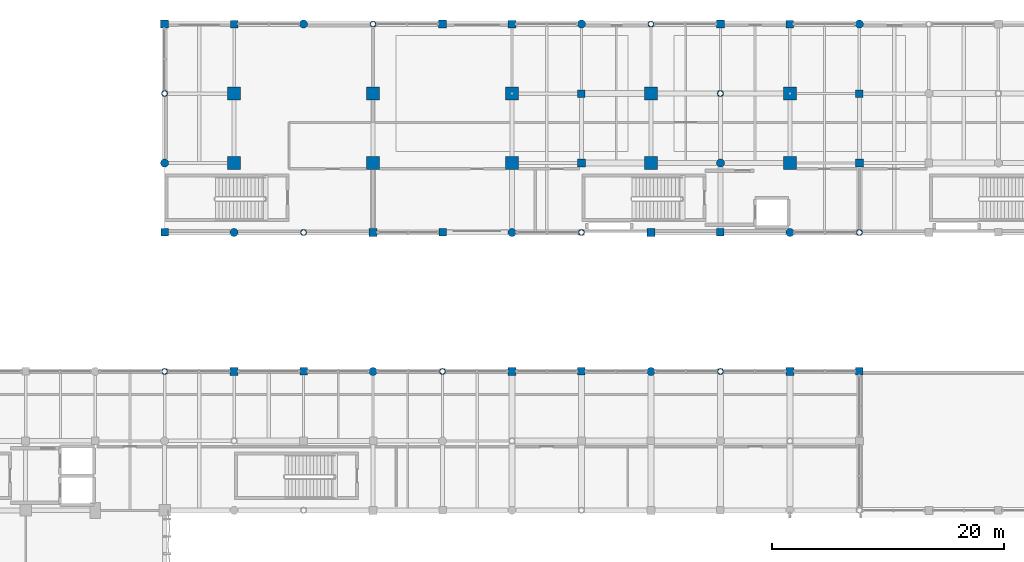
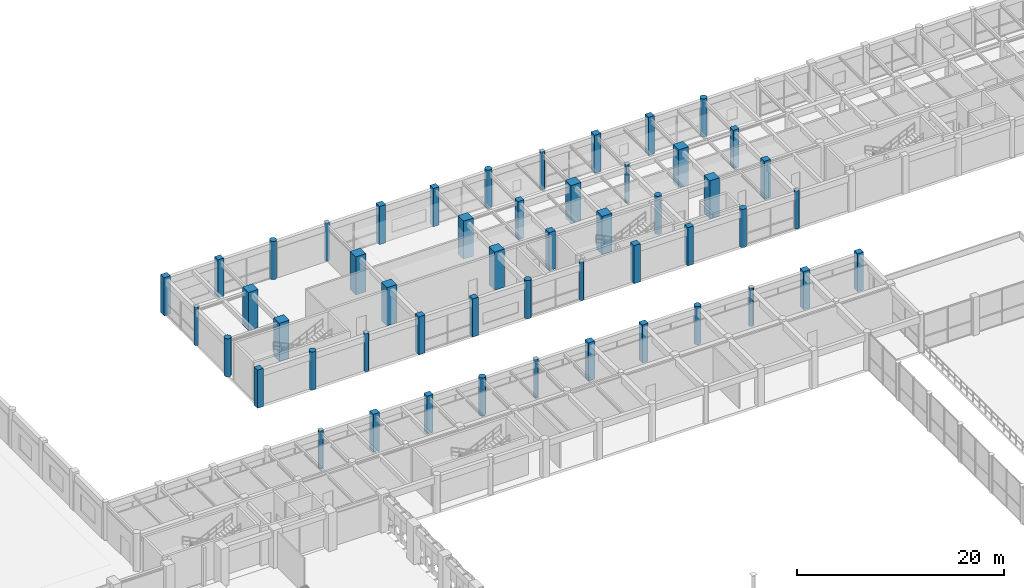
# One storey, part 10 of 116: 51 columns.
"""IFC4 building model written with IfcOpenShell, lengths in metres."""

from ifc_helpers import new_model, si_unit, direction, frame, origin, origin_2d, place, context, subcontext, project, spatial, rectangle, circle, hollow_circle, extrude, material, material_profile, profile_set, type_object, element, save


model = new_model("IFC4")

# Units and contexts
model_context = context("Model", 3, precision=1e-05, world=origin(), true_north=direction((0.0, 1.0)))
body_context = subcontext(model_context, "Body", "Model", "MODEL_VIEW")
ifc_project = project(units=[si_unit("LENGTHUNIT", "METRE"), si_unit("AREAUNIT", "SQUARE_METRE"), si_unit("VOLUMEUNIT", "CUBIC_METRE"), si_unit("PLANEANGLEUNIT", "RADIAN"), si_unit("MASSUNIT", "GRAM", prefix="KILO"), si_unit("THERMODYNAMICTEMPERATUREUNIT", "KELVIN"), si_unit("POWERUNIT", "WATT")], contexts=[model_context])

# Site, building, storey
site_placement = place(None, origin())
site = spatial("IfcSite", under=ifc_project, at=site_placement, CompositionType="ELEMENT")
building_placement = place(site_placement, origin())
building = spatial("IfcBuilding", under=site, at=building_placement, Name="Phaisarnlok Congress Hotel", CompositionType="ELEMENT")
storey_placement = place(building_placement, frame((0.0, 0.0, 10.5)))
storey = spatial("IfcBuildingStorey", under=building, at=storey_placement, Name="L02", CompositionType="ELEMENT", Elevation=10.5)

# Columns
ifc_material_1 = material(Name="Concrete C50/60", Category="concrete")
ifc_material_profile_1 = material_profile(ifc_material_1, rectangle(XDim=1.10009765625, YDim=1.10009765625, at=origin_2d()), Name="RC 1100x1100")
ifc_profile_set_1 = profile_set([ifc_material_profile_1], Name="Concrete C50/60")
column_type_1 = type_object("IfcColumnType", Name="COL-RC-1100", PredefinedType="COLUMN", material=ifc_profile_set_1)
for number, where, z_axis, x_axis, name in (
    (1, (72.0, 114.0, 0.0), (0.0, 0.0, 1.0), (1.0, 0.0, 0.0), "Column C-10 (L02)"),
    (2, (72.0, 120.0, 0.0), (0.0, 0.0, 1.0), (1.0, 0.0, 0.0), "Column C-10 (L02)"),
    (3, (84.0, 114.0, 0.0), (0.0, 0.0, 1.0), (1.0, 0.0, 0.0), "Column C-10 (L02)"),
    (4, (84.0, 120.0, 0.0), (0.0, 0.0, 1.0), (1.0, 0.0, 0.0), "Column C-10 (L02)"),
    (5, (96.0, 114.0, 0.0), (0.0, 0.0, 1.0), (1.0, 0.0, 0.0), "Column C-10 (L02)"),
    (6, (96.0, 120.0, 0.0), (0.0, 0.0, 1.0), (1.0, 0.0, 0.0), "Column C-10 (L02)"),
    (7, (108.0, 114.0, 0.0), (0.0, 0.0, 1.0), (1.0, 0.0, 0.0), "Column C-10 (L02)"),
    (8, (108.0, 120.0, 0.0), (0.0, 0.0, 1.0), (1.0, 0.0, 0.0), "Column C-10 (L02)"),
    (9, (120.0, 114.0, 0.0), (0.0, 0.0, 1.0), (1.0, 0.0, 0.0), "Column C-10 (L02)"),
    (10, (120.0, 120.0, 0.0), (0.0, 0.0, 1.0), (1.0, 0.0, 0.0), "Column C-10 (L02)"),
):
    element("IfcColumn", number, at=place(storey_placement, frame(where, z_axis=z_axis, x_axis=x_axis)), inside=storey, type_object=column_type_1, Name=name, PredefinedType="COLUMN", context=body_context, shape_type="SweptSolid", body=[
        extrude(rectangle(XDim=1.10009765625, YDim=1.10009765625, at=origin_2d()), origin(), (0.0, 0.0, 1.0), 4.5),
    ])
ifc_material_profile_2 = material_profile(ifc_material_1, rectangle(XDim=0.64990234375, YDim=0.64990234375, at=origin_2d()), Name="RC 650x650")
ifc_profile_set_2 = profile_set([ifc_material_profile_2], Name="Concrete C50/60")
column_type_2 = type_object("IfcColumnType", Name="COL-RC-650", PredefinedType="COLUMN", material=ifc_profile_set_2)
for number, where, z_axis, x_axis, name in (
    (11, (66.0, 108.0, 0.0), (0.0, 0.0, 1.0), (1.0, 0.0, 0.0), "Column C-04 (L02)"),
    (12, (78.0, 96.0, 0.0), (0.0, 0.0, 1.0), (1.0, 0.0, 0.0), "Column C-04 (L02)"),
    (13, (90.0, 108.0, 0.0), (0.0, 0.0, 1.0), (1.0, 0.0, 0.0), "Column C-04 (L02)"),
    (14, (102.0, 96.0, 0.0), (0.0, 0.0, 1.0), (1.0, 0.0, 0.0), "Column C-04 (L02)"),
    (15, (102.0, 120.0, 0.0), (0.0, 0.0, 1.0), (1.0, 0.0, 0.0), "Column C-04 (L02)"),
    (16, (114.0, 108.0, 0.0), (0.0, 0.0, 1.0), (1.0, 0.0, 0.0), "Column C-04 (L02)"),
    (17, (126.0, 96.0, 0.0), (0.0, 0.0, 1.0), (1.0, 0.0, 0.0), "Column C-04 (L02)"),
    (18, (126.0, 120.0, 0.0), (0.0, 0.0, 1.0), (1.0, 0.0, 0.0), "Column C-04 (L02)"),
):
    element("IfcColumn", number, at=place(storey_placement, frame(where, z_axis=z_axis, x_axis=x_axis)), inside=storey, type_object=column_type_2, Name=name, PredefinedType="COLUMN", context=body_context, shape_type="SweptSolid", body=[
        extrude(rectangle(XDim=0.64990234375, YDim=0.64990234375, at=origin_2d()), origin(), (0.0, 0.0, 1.0), 4.5),
    ])
ifc_material_profile_3 = material_profile(ifc_material_1, rectangle(XDim=0.64990234375, YDim=0.64990234375, at=origin_2d()), Name="RC 650x650")
ifc_profile_set_3 = profile_set([ifc_material_profile_3], Name="Concrete C50/60")
column_type_3 = type_object("IfcColumnType", Name="COL-RC-650-EXT", PredefinedType="COLUMN", material=ifc_profile_set_3)
for number, where, z_axis, x_axis, name in (
    (19, (72.0, 126.0, 0.0), (0.0, 0.0, 1.0), (1.0, 0.0, 0.0), "Column C-04E (L02)"),
    (20, (96.0, 126.0, 0.0), (0.0, 0.0, 1.0), (1.0, 0.0, 0.0), "Column C-04E (L02)"),
    (21, (120.0, 126.0, 0.0), (0.0, 0.0, 1.0), (1.0, 0.0, 0.0), "Column C-04E (L02)"),
):
    element("IfcColumn", number, at=place(storey_placement, frame(where, z_axis=z_axis, x_axis=x_axis)), inside=storey, type_object=column_type_3, Name=name, PredefinedType="COLUMN", context=body_context, shape_type="SweptSolid", body=[
        extrude(rectangle(XDim=0.64990234375, YDim=0.64990234375, at=origin_2d()), origin(), (0.0, 0.0, 1.0), 4.5),
    ])
ifc_material_profile_4 = material_profile(ifc_material_1, rectangle(XDim=0.699951171875, YDim=0.699951171875, at=origin_2d()), Name="RC 700x700")
ifc_profile_set_4 = profile_set([ifc_material_profile_4], Name="Concrete C50/60")
column_type_4 = type_object("IfcColumnType", Name="COL-RC-700", PredefinedType="COLUMN", material=ifc_profile_set_4)
for number, where, z_axis, x_axis, name in (
    (22, (72.0, 96.0, 0.0), (0.0, 0.0, 1.0), (1.0, 0.0, 0.0), "Column C-05 (L02)"),
    (23, (84.0, 108.0, 0.0), (0.0, 0.0, 1.0), (1.0, 0.0, 0.0), "Column C-05 (L02)"),
    (24, (96.0, 96.0, 0.0), (0.0, 0.0, 1.0), (1.0, 0.0, 0.0), "Column C-05 (L02)"),
    (25, (102.0, 114.0, 0.0), (0.0, 0.0, 1.0), (1.0, 0.0, 0.0), "Column C-05 (L02)"),
    (26, (108.0, 108.0, 0.0), (0.0, 0.0, 1.0), (1.0, 0.0, 0.0), "Column C-05 (L02)"),
    (27, (120.0, 96.0, 0.0), (0.0, 0.0, 1.0), (1.0, 0.0, 0.0), "Column C-05 (L02)"),
    (28, (126.0, 114.0, 0.0), (0.0, 0.0, 1.0), (1.0, 0.0, 0.0), "Column C-05 (L02)"),
):
    element("IfcColumn", number, at=place(storey_placement, frame(where, z_axis=z_axis, x_axis=x_axis)), inside=storey, type_object=column_type_4, Name=name, PredefinedType="COLUMN", context=body_context, shape_type="SweptSolid", body=[
        extrude(rectangle(XDim=0.699951171875, YDim=0.699951171875, at=origin_2d()), origin(), (0.0, 0.0, 1.0), 4.5),
    ])
ifc_material_profile_5 = material_profile(ifc_material_1, rectangle(XDim=0.699951171875, YDim=0.699951171875, at=origin_2d()), Name="RC 700x700")
ifc_profile_set_5 = profile_set([ifc_material_profile_5], Name="Concrete C50/60")
column_type_5 = type_object("IfcColumnType", Name="COL-RC-700-EXT", PredefinedType="COLUMN", material=ifc_profile_set_5)
for number, where, z_axis, x_axis, name in (
    (29, (66.0, 126.0, 0.0), (0.0, 0.0, 1.0), (1.0, 0.0, 0.0), "Column C-05E (L02)"),
    (30, (90.0, 126.0, 0.0), (0.0, 0.0, 1.0), (1.0, 0.0, 0.0), "Column C-05E (L02)"),
    (31, (114.0, 126.0, 0.0), (0.0, 0.0, 1.0), (1.0, 0.0, 0.0), "Column C-05E (L02)"),
):
    element("IfcColumn", number, at=place(storey_placement, frame(where, z_axis=z_axis, x_axis=x_axis)), inside=storey, type_object=column_type_5, Name=name, PredefinedType="COLUMN", context=body_context, shape_type="SweptSolid", body=[
        extrude(rectangle(XDim=0.699951171875, YDim=0.699951171875, at=origin_2d()), origin(), (0.0, 0.0, 1.0), 4.5),
    ])
ifc_material_profile_6 = material_profile(ifc_material_1, circle(Radius=0.35009765625, at=origin_2d()), Name="RCC D700")
ifc_profile_set_6 = profile_set([ifc_material_profile_6], Name="Concrete C50/60")
column_type_6 = type_object("IfcColumnType", Name="COL-RCC-700", PredefinedType="COLUMN", material=ifc_profile_set_6)
for number, where, z_axis, x_axis, name in (
    (32, (66.0, 114.0, 0.0), (0.0, 0.0, 1.0), (1.0, 0.0, 0.0), "Column C-13 (L02)"),
    (33, (72.0, 108.0, 0.0), (0.0, 0.0, 1.0), (1.0, 0.0, 0.0), "Column C-13 (L02)"),
    (34, (84.0, 96.0, 0.0), (0.0, 0.0, 1.0), (1.0, 0.0, 0.0), "Column C-13 (L02)"),
    (35, (96.0, 108.0, 0.0), (0.0, 0.0, 1.0), (1.0, 0.0, 0.0), "Column C-13 (L02)"),
    (36, (108.0, 96.0, 0.0), (0.0, 0.0, 1.0), (1.0, 0.0, 0.0), "Column C-13 (L02)"),
    (37, (114.0, 114.0, 0.0), (0.0, 0.0, 1.0), (1.0, 0.0, 0.0), "Column C-13 (L02)"),
    (38, (120.0, 108.0, 0.0), (0.0, 0.0, 1.0), (1.0, 0.0, 0.0), "Column C-13 (L02)"),
):
    element("IfcColumn", number, at=place(storey_placement, frame(where, z_axis=z_axis, x_axis=x_axis)), inside=storey, type_object=column_type_6, Name=name, PredefinedType="COLUMN", context=body_context, shape_type="SweptSolid", body=[
        extrude(circle(Radius=0.35009765625, at=origin_2d()), origin(), (0.0, 0.0, 1.0), 4.5),
    ])
ifc_material_profile_7 = material_profile(ifc_material_1, circle(Radius=0.35009765625, at=origin_2d()), Name="RCC D700")
ifc_profile_set_7 = profile_set([ifc_material_profile_7], Name="Concrete C50/60")
column_type_7 = type_object("IfcColumnType", Name="COL-RCC-700-EXT", PredefinedType="COLUMN", material=ifc_profile_set_7)
for number, where, z_axis, x_axis, name in (
    (39, (78.0, 126.0, 0.0), (0.0, 0.0, 1.0), (1.0, 0.0, 0.0), "Column C-13E (L02)"),
    (40, (102.0, 126.0, 0.0), (0.0, 0.0, 1.0), (1.0, 0.0, 0.0), "Column C-13E (L02)"),
    (41, (126.0, 126.0, 0.0), (0.0, 0.0, 1.0), (1.0, 0.0, 0.0), "Column C-13E (L02)"),
):
    element("IfcColumn", number, at=place(storey_placement, frame(where, z_axis=z_axis, x_axis=x_axis)), inside=storey, type_object=column_type_7, Name=name, PredefinedType="COLUMN", context=body_context, shape_type="SweptSolid", body=[
        extrude(circle(Radius=0.35009765625, at=origin_2d()), origin(), (0.0, 0.0, 1.0), 4.5),
    ])
ifc_material_2 = material(Name="Steel S355", Category="steel")
ifc_material_profile_8 = material_profile(ifc_material_2, hollow_circle(Radius=0.25390625, WallThickness=0.02490234375, at=origin_2d()), Name="CHS 508x25")
ifc_profile_set_8 = profile_set([ifc_material_profile_8], Name="Steel S355")
column_type_8 = type_object("IfcColumnType", Name="COL-STL-CHS508", PredefinedType="COLUMN", material=ifc_profile_set_8)
for number, where, z_axis, x_axis, name in (
    (42, (66.0, 96.0, 0.0), (0.0, 0.0, 1.0), (1.0, 0.0, 0.0), "Column SC-03 (L02)"),
    (43, (66.0, 120.0, 0.0), (0.0, 0.0, 1.0), (1.0, 0.0, 0.0), "Column SC-03 (L02)"),
    (44, (78.0, 108.0, 0.0), (0.0, 0.0, 1.0), (1.0, 0.0, 0.0), "Column SC-03 (L02)"),
    (45, (90.0, 96.0, 0.0), (0.0, 0.0, 1.0), (1.0, 0.0, 0.0), "Column SC-03 (L02)"),
    (46, (102.0, 108.0, 0.0), (0.0, 0.0, 1.0), (1.0, 0.0, 0.0), "Column SC-03 (L02)"),
    (47, (114.0, 96.0, 0.0), (0.0, 0.0, 1.0), (1.0, 0.0, 0.0), "Column SC-03 (L02)"),
    (48, (114.0, 120.0, 0.0), (0.0, 0.0, 1.0), (1.0, 0.0, 0.0), "Column SC-03 (L02)"),
    (49, (126.0, 108.0, 0.0), (0.0, 0.0, 1.0), (1.0, 0.0, 0.0), "Column SC-03 (L02)"),
):
    element("IfcColumn", number, at=place(storey_placement, frame(where, z_axis=z_axis, x_axis=x_axis)), inside=storey, type_object=column_type_8, Name=name, PredefinedType="COLUMN", context=body_context, shape_type="SweptSolid", body=[
        extrude(hollow_circle(Radius=0.25390625, WallThickness=0.02490234375, at=origin_2d()), origin(), (0.0, 0.0, 1.0), 4.5),
    ])
ifc_material_profile_9 = material_profile(ifc_material_2, hollow_circle(Radius=0.25390625, WallThickness=0.02490234375, at=origin_2d()), Name="CHS 508x25")
ifc_profile_set_9 = profile_set([ifc_material_profile_9], Name="Steel S355")
column_type_9 = type_object("IfcColumnType", Name="COL-STL-CHS508-EXT", PredefinedType="COLUMN", material=ifc_profile_set_9)
for number, where, z_axis, x_axis, name in (
    (50, (84.0, 126.0, 0.0), (0.0, 0.0, 1.0), (1.0, 0.0, 0.0), "Column SC-03E (L02)"),
    (51, (108.0, 126.0, 0.0), (0.0, 0.0, 1.0), (1.0, 0.0, 0.0), "Column SC-03E (L02)"),
):
    element("IfcColumn", number, at=place(storey_placement, frame(where, z_axis=z_axis, x_axis=x_axis)), inside=storey, type_object=column_type_9, Name=name, PredefinedType="COLUMN", context=body_context, shape_type="SweptSolid", body=[
        extrude(hollow_circle(Radius=0.25390625, WallThickness=0.02490234375, at=origin_2d()), origin(), (0.0, 0.0, 1.0), 4.5),
    ])

save(model, "model.ifc")
